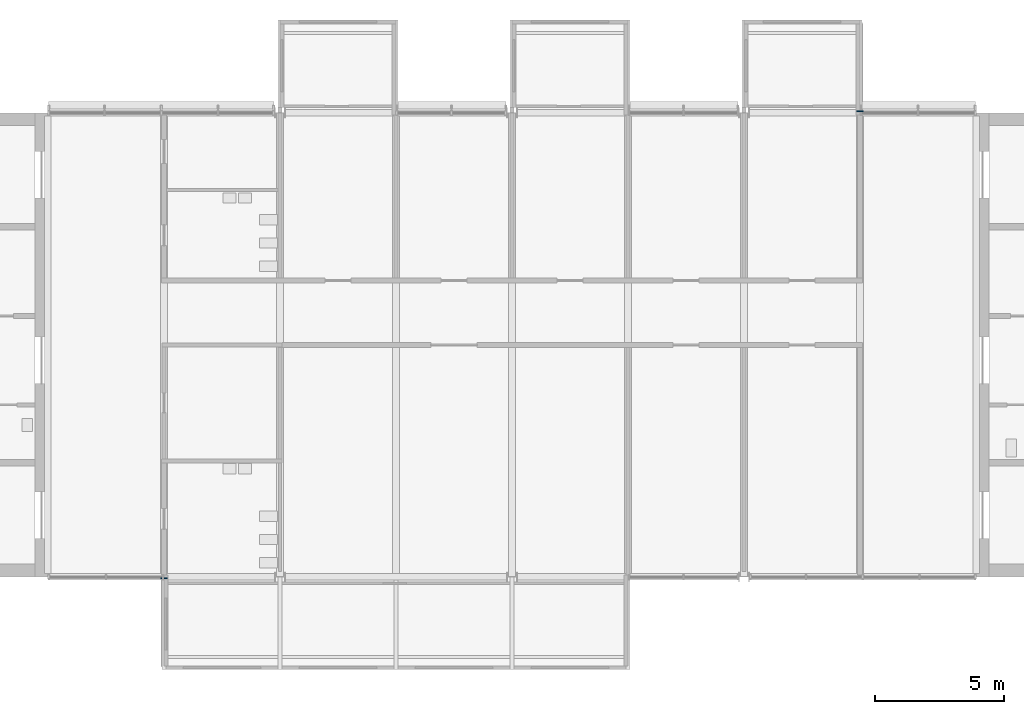
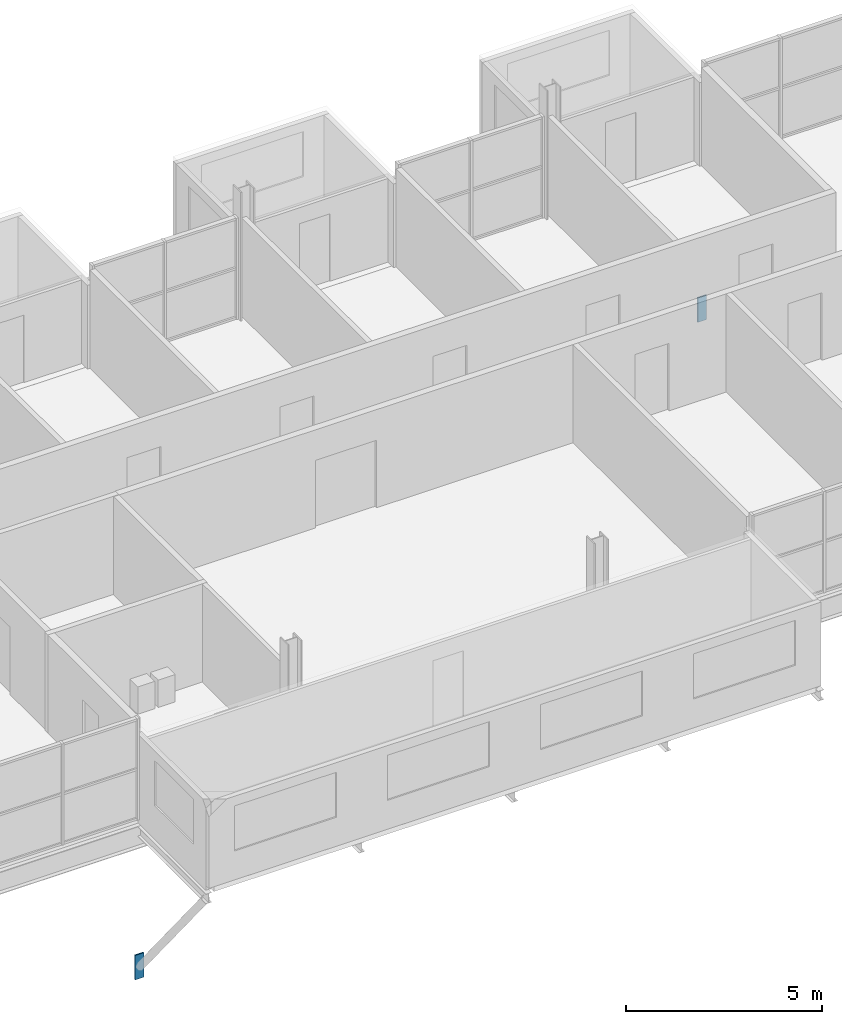
# One storey, part 5 of 12: 2 plates.
"""IFC4 building model written with IfcOpenShell, lengths in metres."""

from ifc_helpers import new_model, si_unit, direction, frame, origin, origin_2d, place, context, subcontext, project, spatial, rectangle, extrude, material, layer, layer_set, type_object, element, save


model = new_model("IFC4")

# Units and contexts
model_context = context("Model", 3, precision=1e-05, world=origin(), true_north=direction((0.0, 1.0)))
body_context = subcontext(model_context, "Body", "Model", "MODEL_VIEW")
ifc_project = project(units=[si_unit("LENGTHUNIT", "METRE"), si_unit("AREAUNIT", "SQUARE_METRE"), si_unit("VOLUMEUNIT", "CUBIC_METRE"), si_unit("PLANEANGLEUNIT", "RADIAN"), si_unit("MASSUNIT", "GRAM", prefix="KILO")], contexts=[model_context])

# Site, building, storey
site_placement = place(None, origin())
site = spatial("IfcSite", under=ifc_project, at=site_placement, CompositionType="ELEMENT")
building_placement = place(site_placement, origin())
building = spatial("IfcBuilding", under=site, at=building_placement, Name="Corbel Yard City Hall", CompositionType="ELEMENT")
storey_placement = place(building_placement, frame((0.0, 0.0, 31.199951171875)))
storey = spatial("IfcBuildingStorey", under=building, at=storey_placement, Name="L07", CompositionType="ELEMENT", Elevation=31.199951171875)

# Plates
ifc_material = material(Name="Steel Grade 300 (300 MPa yield)", Category="steel")
ifc_layer = layer(ifc_material, 0.0400390625)
ifc_layer_set = layer_set([ifc_layer], Name="Steel Grade 300 (300 MPa yield)")
plate_type = type_object("IfcPlateType", Name="Knee brace girder stiffener plate", PredefinedType="NOTDEFINED", material=ifc_layer_set)
for number, where, z_axis, x_axis, name in (
    (1, (13.5, 98.94189453125, -4.93505859375), (0.0, 0.0, 1.0), (1.0, 0.0, 0.0), "Knee brace girder stiffener plate EP3"),
    (2, (40.5, 117.05810546875, -4.93505859375), (0.0, 0.0, 1.0), (1.0, 0.0, 0.0), "Knee brace girder stiffener plate EP3"),
):
    element("IfcPlate", number, at=place(storey_placement, frame(where, z_axis=z_axis, x_axis=x_axis)), inside=storey, type_object=plate_type, Name=name, PredefinedType="NOTDEFINED", context=body_context, shape_type="SweptSolid", body=[
        extrude(rectangle(XDim=0.260009765625, YDim=0.0400390625, at=origin_2d()), origin(), (0.0, 0.0, 1.0), 0.760009765625),
    ])

save(model, "model.ifc")
